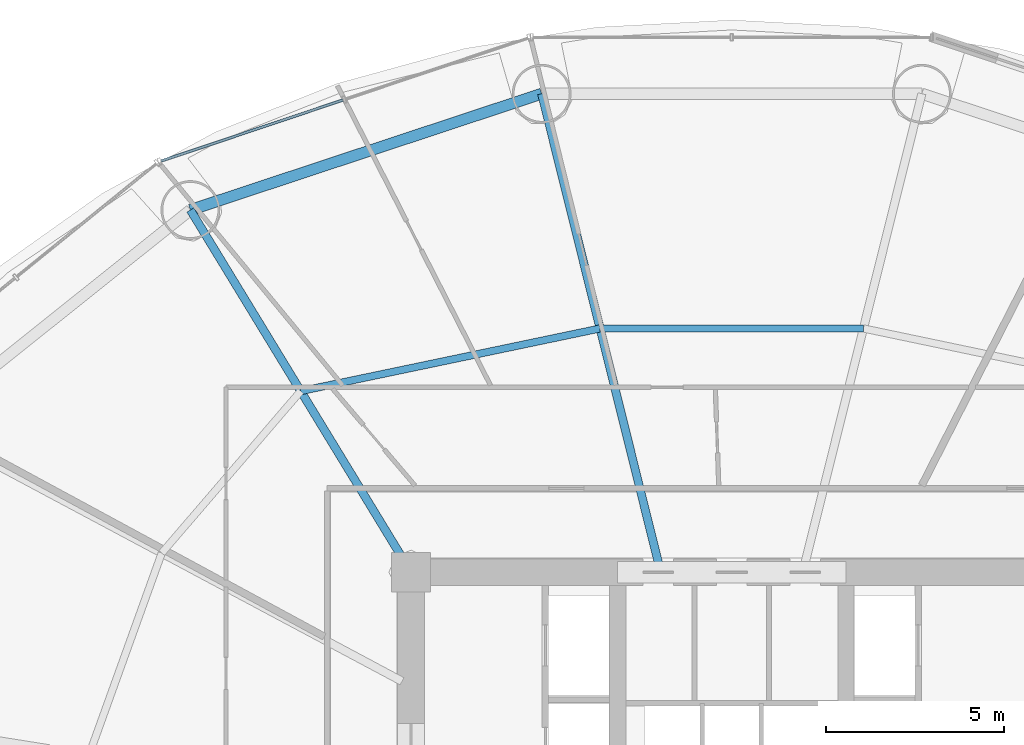
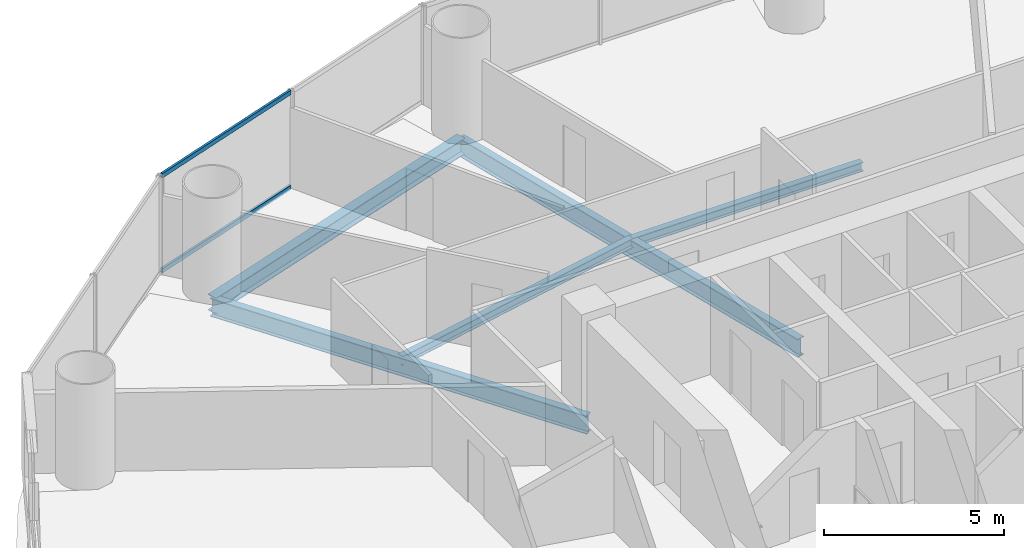
# One storey, part 16 of 29: 5 beams, 2 members, 1 element without a shape of its own.
"""IFC4 building model written with IfcOpenShell, lengths in metres."""

import ifcopenshell
import ifcopenshell.guid

model = None  # the IFC model being written
_history = None  # IfcOwnerHistory: only IFC2X3 demands one
_inside = {}  # id of a spatial element -> (the spatial element, [elements in it])
_under = {}  # id of a project, library or spatial element -> (it, [spatial elements below it])
_declared = {}  # id of a project -> (the project, [libraries it declares])
_typed = {}  # id of a type object -> (the type object, [elements of that type])
_made_of = {}  # id of a material, layer set ... -> (it, [elements and type objects made of it])


def new_model(schema):
    """Start an empty IFC model of exactly this schema.

    Asked for "IFC4X3", IfcOpenShell would pick the latest addendum, in which some entities
    have other attributes; the version numbers below select the first issue.
    IFC2X3 requires an IfcOwnerHistory on every rooted entity: one is made here for all.
    """
    global model, _history
    if schema == "IFC4X3":
        model = ifcopenshell.file(schema_version=(4, 3, 0, 0))
    else:
        model = ifcopenshell.file(schema=schema)
    _inside.clear()
    _under.clear()
    _declared.clear()
    _typed.clear()
    _made_of.clear()
    _history = None
    if model.schema == "IFC2X3":
        org = make("IfcOrganization", Name="unknown")
        user = make(
            "IfcPersonAndOrganization",
            ThePerson=make("IfcPerson", FamilyName="unknown"),
            TheOrganization=org,
        )
        app = make(
            "IfcApplication",
            ApplicationDeveloper=org,
            Version="unknown",
            ApplicationFullName="unknown",
            ApplicationIdentifier="unknown",
        )
        _history = make(
            "IfcOwnerHistory",
            OwningUser=user,
            OwningApplication=app,
            ChangeAction="ADDED",
            CreationDate=0,
        )
    return model


def make(cls, **values):
    """One entity of the class cls with the attributes given. An attribute that is None is left unset."""
    return model.create_entity(
        cls, **{name: value for name, value in values.items() if value is not None}
    )


def rooted(cls, **values):
    """An entity with a GlobalId (a new one), such as an element, a storey or a relation."""
    return make(cls, GlobalId=ifcopenshell.guid.new(), OwnerHistory=_history, **values)


def si_unit(unit_type, name, prefix=None):
    """IfcSIUnit, for example si_unit("LENGTHUNIT", "METRE", prefix="MILLI")."""
    return make("IfcSIUnit", UnitType=unit_type, Prefix=prefix, Name=name)


def assignment(units):
    """IfcUnitAssignment: the units of a project."""
    return None if units is None else make("IfcUnitAssignment", Units=units)


def point(xyz):
    """IfcCartesianPoint."""
    return None if xyz is None else make("IfcCartesianPoint", Coordinates=xyz)


def direction(xyz):
    """IfcDirection."""
    return None if xyz is None else make("IfcDirection", DirectionRatios=xyz)


def frame(location, z_axis=None, x_axis=None):
    """IfcAxis2Placement3D, a coordinate frame: its origin and axes. An axis left out is left unset."""
    return make(
        "IfcAxis2Placement3D",
        Location=point(location),
        Axis=direction(z_axis),
        RefDirection=direction(x_axis),
    )


def frame_2d(location, x_axis=None):
    """IfcAxis2Placement2D, a coordinate frame in the plane: its origin and x axis."""
    return make(
        "IfcAxis2Placement2D", Location=point(location), RefDirection=direction(x_axis)
    )


def origin():
    """The frame at (0, 0, 0) with its axes left unset."""
    return frame((0.0, 0.0, 0.0))


def origin_2d():
    """The frame at (0, 0) in the plane with its x axis left unset."""
    return frame_2d((0.0, 0.0))


def place(relative_to, where):
    """IfcLocalPlacement: puts the frame where relative to a parent placement (None: the world)."""
    return make(
        "IfcLocalPlacement", PlacementRelTo=relative_to, RelativePlacement=where
    )


def context(
    kind, dimensions, precision=None, world=None, true_north=None, identifier=None
):
    """IfcGeometricRepresentationContext, for example the 3D "Model" context."""
    return make(
        "IfcGeometricRepresentationContext",
        ContextIdentifier=identifier,
        ContextType=kind,
        CoordinateSpaceDimension=dimensions,
        Precision=precision,
        WorldCoordinateSystem=world,
        TrueNorth=true_north,
    )


def subcontext(parent, identifier, kind, view, scale=None):
    """IfcGeometricRepresentationSubContext, for example "Body" below "Model"."""
    return make(
        "IfcGeometricRepresentationSubContext",
        ContextIdentifier=identifier,
        ContextType=kind,
        ParentContext=parent,
        TargetScale=scale,
        TargetView=view,
    )


def project(units=None, contexts=None):
    """IfcProject with its units and contexts."""
    return rooted(
        "IfcProject",
        Name="project",
        RepresentationContexts=contexts,
        UnitsInContext=assignment(units),
    )


def spatial(cls, under=None, at=None, **own):
    """A site, building, storey or space (cls), placed at a placement, below another one or the project."""
    s = rooted(cls, ObjectPlacement=at, **own)
    if under is not None:
        _under.setdefault(under.id(), (under, []))[1].append(s)
    return s


def profile(cls, at=None, kind="AREA", **sizes):
    """A parametric profile (cls). Its sizes go by their IFC names, for example OverallWidth=200.0."""
    return make(cls, ProfileType=kind, Position=at, **sizes)


def hollow_rectangle(**sizes):
    """IfcRectangleHollowProfileDef."""
    return profile("IfcRectangleHollowProfileDef", **sizes)


def i_section(**sizes):
    """IfcIShapeProfileDef."""
    return profile("IfcIShapeProfileDef", **sizes)


def extrude(swept, where, along, depth):
    """IfcExtrudedAreaSolid: the profile swept, set in the frame where, extruded along a direction by depth."""
    return make(
        "IfcExtrudedAreaSolid",
        SweptArea=swept,
        Position=where,
        ExtrudedDirection=direction(along),
        Depth=depth,
    )


def shape(context_of_items, identifier, shape_type, items):
    """IfcShapeRepresentation: the items that make up one representation, for example the "Body"."""
    return make(
        "IfcShapeRepresentation",
        ContextOfItems=context_of_items,
        RepresentationIdentifier=identifier,
        RepresentationType=shape_type,
        Items=items,
    )


def source(mapping_origin, context_of_items, identifier, shape_type, items):
    """IfcRepresentationMap: a shape defined once, which mapped items show again and again."""
    return make(
        "IfcRepresentationMap",
        MappingOrigin=mapping_origin,
        MappedRepresentation=shape(context_of_items, identifier, shape_type, items),
    )


def transform(
    local_origin,
    x_axis=None,
    y_axis=None,
    z_axis=None,
    scale=None,
    scale2=None,
    scale3=None,
    uniform=True,
):
    """IfcCartesianTransformationOperator3D, or its non-uniform kind. x_axis, y_axis, z_axis: its Axis1, 2, 3."""
    if uniform:
        return make(
            "IfcCartesianTransformationOperator3D",
            Axis1=direction(x_axis),
            Axis2=direction(y_axis),
            LocalOrigin=point(local_origin),
            Scale=scale,
            Axis3=direction(z_axis),
        )
    return make(
        "IfcCartesianTransformationOperator3DnonUniform",
        Axis1=direction(x_axis),
        Axis2=direction(y_axis),
        LocalOrigin=point(local_origin),
        Scale=scale,
        Axis3=direction(z_axis),
        Scale2=scale2,
        Scale3=scale3,
    )


def mapped(mapping_source, mapping_target):
    """IfcMappedItem: shows the shape of a source again, moved by a transform."""
    return make(
        "IfcMappedItem", MappingSource=mapping_source, MappingTarget=mapping_target
    )


def material(Name=None, Category=None):
    """IfcMaterial."""
    return make("IfcMaterial", Name=Name, Category=Category)


def material_profile(
    of_material, cross_section, Name=None, Category=None, Priority=None
):
    """IfcMaterialProfile: a cross section and its material."""
    return make(
        "IfcMaterialProfile",
        Name=Name,
        Material=of_material,
        Profile=cross_section,
        Priority=Priority,
        Category=Category,
    )


def profile_set(profiles, Name=None, composite=None):
    """IfcMaterialProfileSet."""
    return make(
        "IfcMaterialProfileSet",
        Name=Name,
        MaterialProfiles=profiles,
        CompositeProfile=composite,
    )


def made_of(thing, what):
    """Note that an element or type object is made of a material, layer set ...; save() writes the relation."""
    if what is not None:
        _made_of.setdefault(what.id(), (what, []))[1].append(thing)
    return thing


def type_object(cls, material=None, **own):
    """A type object (cls), such as IfcWallType, which elements share."""
    return made_of(rooted(cls, **own), material)


def element(
    cls,
    number,
    at=None,
    inside=None,
    cuts=None,
    type_object=None,
    material=None,
    context=None,
    identifier="Body",
    shape_type=None,
    held_by="IfcProductDefinitionShape",
    body=None,
    shapes=None,
    **own,
):
    """One element of the class cls, such as IfcWall. Its Tag is "e" and its number.

    at: its placement. inside: the storey or other place that contains it. cuts: it is an
    opening in that element (IfcRelVoidsElement). A single representation is given by context,
    identifier, shape_type and body (its items); several are given by shapes. held_by: the class
    of the entity that holds the representations. save() writes the other relations.
    """
    e = rooted(cls, Tag="e%d" % number, ObjectPlacement=at, **own)
    if body is not None:
        shapes = [shape(context, identifier, shape_type, body)]
    if shapes is not None:
        e.Representation = make(held_by, Representations=shapes)
    if inside is not None:
        _inside.setdefault(inside.id(), (inside, []))[1].append(e)
    if cuts is not None:
        rooted(
            "IfcRelVoidsElement", RelatingBuildingElement=cuts, RelatedOpeningElement=e
        )
    if type_object is not None:
        _typed.setdefault(type_object.id(), (type_object, []))[1].append(e)
    return made_of(e, material)


def aggregate(whole, parts):
    """IfcRelAggregates: a whole, such as a stair, and the parts it consists of."""
    return rooted("IfcRelAggregates", RelatingObject=whole, RelatedObjects=parts)


def save(model, path):
    """Write the relations noted so far, then the file.

    IfcRelAggregates (storeys below a building ...), IfcRelContainedInSpatialStructure (elements
    in a storey), IfcRelDefinesByType, IfcRelAssociatesMaterial and IfcRelDeclares: one each for
    every whole, place, type object, material and project.
    """
    for whole, parts in _under.values():
        aggregate(whole, parts)
    for where, things in _inside.values():
        rooted(
            "IfcRelContainedInSpatialStructure",
            RelatedElements=things,
            RelatingStructure=where,
        )
    for kind, things in _typed.values():
        rooted("IfcRelDefinesByType", RelatedObjects=things, RelatingType=kind)
    for what, things in _made_of.values():
        rooted("IfcRelAssociatesMaterial", RelatedObjects=things, RelatingMaterial=what)
    for by, libraries in _declared.values():
        rooted("IfcRelDeclares", RelatingContext=by, RelatedDefinitions=libraries)
    model.write(path)


model = new_model("IFC4")

# Units and contexts
model_context = context("Model", 3, precision=1e-05, world=origin(), true_north=direction((-0.2419218956, 0.970295726276)))
body_context = subcontext(model_context, "Body", "Model", "MODEL_VIEW")
ifc_project = project(units=[si_unit("LENGTHUNIT", "METRE"), si_unit("AREAUNIT", "SQUARE_METRE"), si_unit("VOLUMEUNIT", "CUBIC_METRE"), si_unit("PLANEANGLEUNIT", "RADIAN"), si_unit("MASSUNIT", "GRAM", prefix="KILO")], contexts=[model_context])

# Site, building, storey
site_placement = place(None, origin())
site = spatial("IfcSite", under=ifc_project, at=site_placement, CompositionType="ELEMENT")
building_placement = place(site_placement, origin())
building = spatial("IfcBuilding", under=site, at=building_placement, Name="Cobrevalo Terracotta Tower", CompositionType="ELEMENT")
storey_placement = place(building_placement, frame((0.0, 0.0, 52.800048828125)))
storey = spatial("IfcBuildingStorey", under=building, at=storey_placement, Name="L13", CompositionType="ELEMENT", Elevation=52.800048828125)

# Beams
ifc_material_1 = material(Name="Steel S355", Category="steel")
ifc_material_profile_1 = material_profile(ifc_material_1, i_section(OverallWidth=0.22998046875, OverallDepth=0.616943359375, WebThickness=0.01318359375, FlangeThickness=0.022216796875, at=origin_2d()), Name="W 610x140")
ifc_profile_set_1 = profile_set([ifc_material_profile_1], Name="Steel S355")
beam_type_1 = type_object("IfcBeamType", Name="Structural Beam W 610x140 (Steel S355)", PredefinedType="BEAM", material=ifc_profile_set_1)
beam_1_placement = place(storey_placement, frame((32.664306640625, 48.230224609375, -0.588623046875), z_axis=(0.241596254786, -0.970376859614, 0.0), x_axis=(0.970376859614, 0.241596254786, 0.0)))
element("IfcBeam", 1, at=beam_1_placement, inside=storey, type_object=beam_type_1, Name="L13 radial floor girder 05", PredefinedType="BEAM", context=body_context, shape_type="SweptSolid", body=[
    extrude(i_section(OverallWidth=0.22998046875, OverallDepth=0.616943359375, WebThickness=0.01318359375, FlangeThickness=0.022216796875, at=origin_2d()), origin(), (0.0, 0.0, 1.0), 13.577392578125),
])
beam_2_placement = place(storey_placement, frame((22.80517578125, 44.967529296875, -0.588623046875), z_axis=(0.520309892051, -0.853977526773, 0.0), x_axis=(0.853977526773, 0.520309892051, 0.0)))
element("IfcBeam", 2, at=beam_2_placement, inside=storey, type_object=beam_type_1, Name="L13 radial floor girder 06", PredefinedType="BEAM", context=body_context, shape_type="SweptSolid", body=[
    extrude(i_section(OverallWidth=0.22998046875, OverallDepth=0.616943359375, WebThickness=0.01318359375, FlangeThickness=0.022216796875, at=origin_2d()), origin(), (0.0, 0.0, 1.0), 11.906005859375),
])
ifc_material_profile_2 = material_profile(ifc_material_1, i_section(OverallWidth=0.2041015625, OverallDepth=0.305908203125, WebThickness=0.008544921875, FlangeThickness=0.0146484375, at=origin_2d()), Name="W 310x67")
ifc_profile_set_2 = profile_set([ifc_material_profile_2], Name="Steel S355")
beam_type_2 = type_object("IfcBeamType", Name="Structural Joist W 310x67 (Steel S355)", PredefinedType="JOIST", material=ifc_profile_set_2)
beam_3_placement = place(storey_placement, frame((41.695556640625, 41.642578125, -0.43310546875), z_axis=(-1.0, 0.0, 0.0), x_axis=(0.0, -1.0, 0.0)))
element("IfcBeam", 3, at=beam_3_placement, inside=storey, type_object=beam_type_2, Name="L13 circumferential secondary floor joist 04", PredefinedType="JOIST", context=body_context, shape_type="SweptSolid", body=[
    extrude(i_section(OverallWidth=0.2041015625, OverallDepth=0.305908203125, WebThickness=0.008544921875, FlangeThickness=0.0146484375, at=origin_2d()), origin(), (0.0, 0.0, 1.0), 7.39111328125),
])
beam_4_placement = place(storey_placement, frame((34.304443359375, 41.642578125, -0.43310546875), z_axis=(-0.978784523904, -0.204892302848, 0.0), x_axis=(0.204892302848, -0.978784523904, 0.0)))
element("IfcBeam", 4, at=beam_4_placement, inside=storey, type_object=beam_type_2, Name="L13 circumferential secondary floor joist 05", PredefinedType="JOIST", context=body_context, shape_type="SweptSolid", body=[
    extrude(i_section(OverallWidth=0.2041015625, OverallDepth=0.305908203125, WebThickness=0.008544921875, FlangeThickness=0.0146484375, at=origin_2d()), origin(), (0.0, 0.0, 1.0), 8.583984375),
])
ifc_material_profile_3 = material_profile(ifc_material_1, i_section(OverallWidth=0.31201171875, OverallDepth=0.54296875, WebThickness=0.0126953125, FlangeThickness=0.020263671875, at=origin_2d()), Name="W 530x150")
ifc_profile_set_3 = profile_set([ifc_material_profile_3], Name="Steel S355")
beam_type_3 = type_object("IfcBeamType", Name="Structural Spandrel W 530x150 (Steel S355)", PredefinedType="SPANDREL", material=ifc_profile_set_3)
beam_5_placement = place(storey_placement, frame((32.664306640625, 48.230224609375, -0.551513671875), z_axis=(-0.949365190876, -0.314174687638, 0.0), x_axis=(0.314174687638, -0.949365190876, 0.0)))
element("IfcBeam", 5, at=beam_5_placement, inside=storey, type_object=beam_type_3, Name="L13 perimeter ring spandrel 05", PredefinedType="SPANDREL", context=body_context, shape_type="SweptSolid", body=[
    extrude(i_section(OverallWidth=0.31201171875, OverallDepth=0.54296875, WebThickness=0.0126953125, FlangeThickness=0.020263671875, at=origin_2d()), origin(), (0.0, 0.0, 1.0), 10.385009765625),
])

# Curtain wall, members
ifc_material_2 = material(Name="Anodized aluminium", Category="aluminium")
curtain_wall_type = type_object("IfcCurtainWallType", Name="Lower-tower unitised acoustic low-E curtain wall CW-U1", PredefinedType="NOTDEFINED", material=ifc_material_2)
curtain_wall_placement = place(storey_placement, origin())
curtain_wall = element("IfcCurtainWall", 6, at=curtain_wall_placement, inside=storey, type_object=curtain_wall_type, Name="L13 curtain wall CW-L13-S05", PredefinedType="NOTDEFINED")
ifc_material_profile_4 = material_profile(ifc_material_2, hollow_rectangle(XDim=0.074951171875, YDim=0.14990234375, WallThickness=0.00439453125, at=origin_2d()), Name="CWT 75x150")
ifc_profile_set_4 = profile_set([ifc_material_profile_4], Name="Anodized aluminium")
member_type = type_object("IfcMemberType", Name="Tower unitised aluminium transom 75x150", PredefinedType="USERDEFINED", material=ifc_profile_set_4)
shared_shape = source(origin(), body_context, "Body", "SweptSolid", [
    extrude(hollow_rectangle(XDim=0.074951171875, YDim=0.14990234375, WallThickness=0.00439453125, at=origin_2d()), origin(), (0.0, 0.0, 1.0), 5.387939453125),
])
member_1_placement = place(storey_placement, frame((27.0888671875, 48.05419921875, 0.050048828125), z_axis=(-0.94804244582, -0.318143868278, 0.0), x_axis=(0.318143868278, -0.94804244582, 0.0)))
member_1 = element("IfcMember", 7, at=member_1_placement, type_object=member_type, Name="CW-L13-S05 transom B02-T1", ObjectType="TRANSOM", PredefinedType="USERDEFINED", context=body_context, shape_type="MappedRepresentation", body=[
    mapped(shared_shape, transform((0.0, 0.0, 0.0), scale=1.0)),
])
member_2_placement = place(storey_placement, frame((27.0888671875, 48.05419921875, 3.27001953125), z_axis=(-0.94804244582, -0.318143868278, 0.0), x_axis=(0.318143868278, -0.94804244582, 0.0)))
member_2 = element("IfcMember", 8, at=member_2_placement, type_object=member_type, Name="CW-L13-S05 transom B02-T2", ObjectType="TRANSOM", PredefinedType="USERDEFINED", context=body_context, shape_type="MappedRepresentation", body=[
    mapped(shared_shape, transform((0.0, 0.0, 0.0), scale=1.0)),
])
aggregate(curtain_wall, [member_1, member_2])

save(model, "model.ifc")
